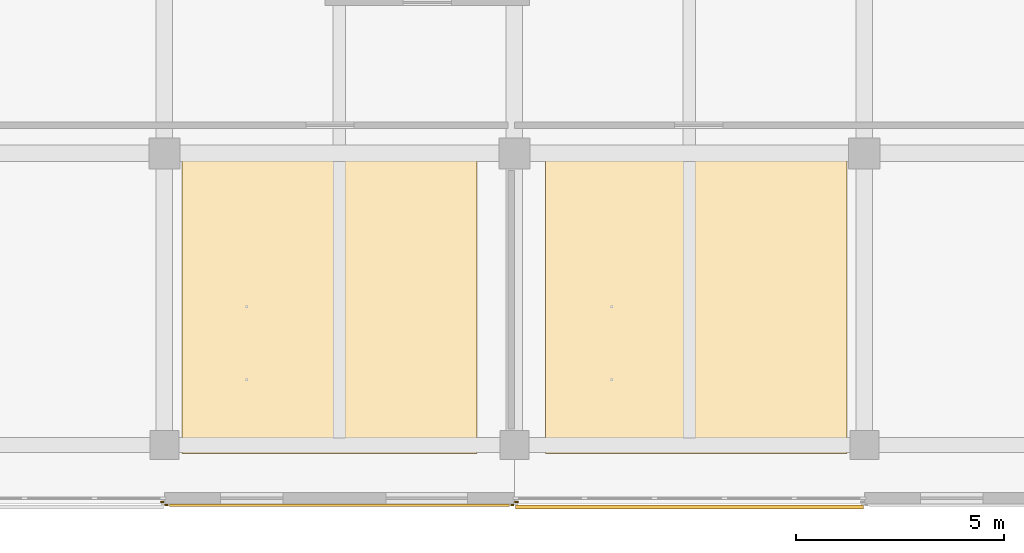
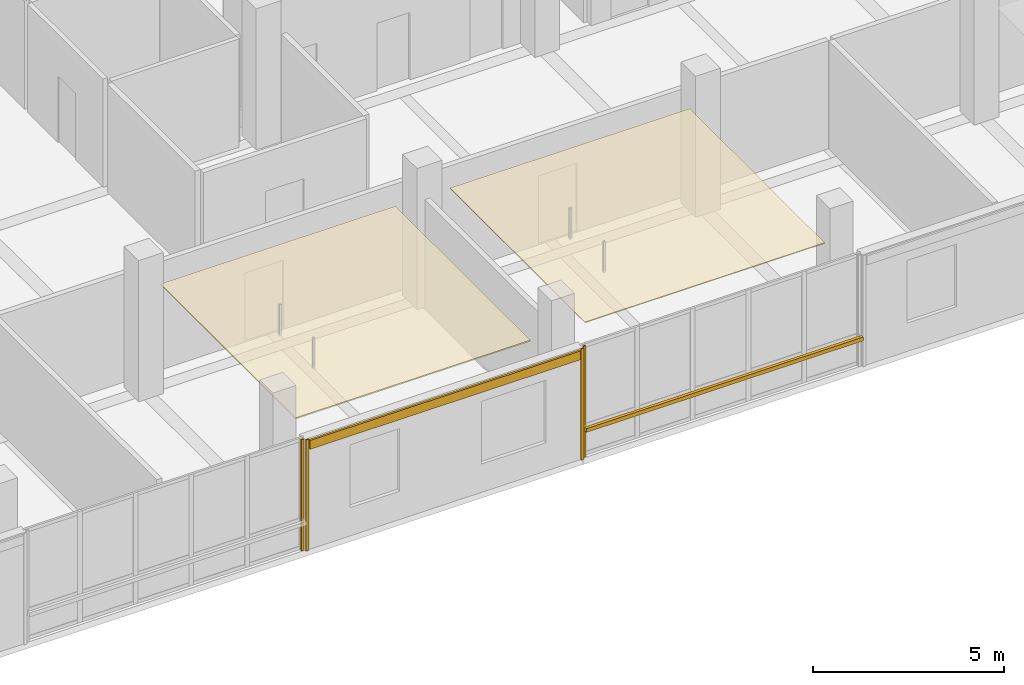
# One storey, part 24 of 32: 7 coverings, 1 shading device.
"""IFC4 building model written with IfcOpenShell, lengths in metres."""

from ifc_helpers import new_model, si_unit, direction, frame, origin, origin_2d, place, context, subcontext, project, spatial, polyline, rectangle, outline, extrude, material, layer, layer_set, type_object, element, save


model = new_model("IFC4")

# Units and contexts
model_context = context("Model", 3, precision=1e-05, world=origin(), true_north=direction((0.0, 1.0)))
body_context = subcontext(model_context, "Body", "Model", "MODEL_VIEW")
ifc_project = project(units=[si_unit("LENGTHUNIT", "METRE"), si_unit("AREAUNIT", "SQUARE_METRE"), si_unit("VOLUMEUNIT", "CUBIC_METRE"), si_unit("PLANEANGLEUNIT", "RADIAN"), si_unit("MASSUNIT", "GRAM", prefix="KILO")], contexts=[model_context])

# Site, building, storey
site_placement = place(None, origin())
site = spatial("IfcSite", under=ifc_project, at=site_placement, CompositionType="ELEMENT")
building_placement = place(site_placement, origin())
building = spatial("IfcBuilding", under=site, at=building_placement, Name="Telukmera Botanical Conservatory", CompositionType="ELEMENT")
storey_placement = place(building_placement, frame((0.0, 0.0, 42.0)))
storey = spatial("IfcBuildingStorey", under=building, at=storey_placement, Name="L09", CompositionType="ELEMENT", Elevation=42.0)

# Coverings
ifc_material_1 = material(Name="Mineral fibre acoustic ceiling")
ifc_layer_1 = layer(ifc_material_1, 0.030029296875)
ifc_layer_set_1 = layer_set([ifc_layer_1], Name="Mineral fibre acoustic ceiling")
covering_type_1 = type_object("IfcCoveringType", Name="COV-CEIL-30", PredefinedType="CEILING", material=ifc_layer_set_1)
covering_1_placement = place(storey_placement, frame((0.0, 0.0, 3.320068359375)))
element("IfcCovering", 1, at=covering_1_placement, inside=storey, type_object=covering_type_1, Name="L09 Mycorrhizal Research Laboratory Suspended Acoustic Ceiling", PredefinedType="CEILING", context=body_context, shape_type="SweptSolid", body=[
    extrude(outline(polyline([(76.35009765625, 10.39990234375), (83.580078125, 10.39990234375), (83.580078125, 17.449951171875), (76.35009765625, 17.449951171875), (76.35009765625, 10.39990234375)])), origin(), (0.0, 0.0, 1.0), 0.030029296875),
])
ifc_material_2 = material(Name="Perforated gypsum acoustic ceiling")
ifc_layer_2 = layer(ifc_material_2, 0.0400390625)
ifc_layer_set_2 = layer_set([ifc_layer_2], Name="Perforated gypsum acoustic ceiling")
covering_type_2 = type_object("IfcCoveringType", Name="COV-CEIL-40", PredefinedType="CEILING", material=ifc_layer_set_2)
covering_2_placement = place(storey_placement, frame((0.0, 0.0, 3.31005859375)))
element("IfcCovering", 2, at=covering_2_placement, inside=storey, type_object=covering_type_2, Name="L09 Tropical Ecology Laboratory Suspended Acoustic Ceiling", PredefinedType="CEILING", context=body_context, shape_type="SweptSolid", body=[
    extrude(outline(polyline([(67.6201171875, 10.39990234375), (74.699951171875, 10.39990234375), (74.699951171875, 17.449951171875), (67.6201171875, 17.449951171875), (67.6201171875, 10.39990234375)])), origin(), (0.0, 0.0, 1.0), 0.0400390625),
])
ifc_material_3 = material(Name="Granite-faced precast concrete C40/50", Category="masonry")
ifc_layer_3 = layer(ifc_material_3, 0.0400390625)
ifc_layer_set_3 = layer_set([ifc_layer_3], Name="Granite-faced precast concrete C40/50")
covering_type_3 = type_object("IfcCoveringType", Name="Granite Precast Column Pier Reveal Casing", PredefinedType="CLADDING", material=ifc_layer_set_3)
for number, where, z_axis, x_axis, name in (
    (3, (67.14794921875, 9.22998046875, 0.0), (0.0, 0.0, 1.0), (1.0, 0.0, 0.0), "Granite Pier Reveal V4:L09:S2 R"),
    (4, (67.251953125, 9.159912109375, 0.0), (0.0, 0.0, 1.0), (1.0, 0.0, 0.0), "Granite Pier Reveal V4:L09:S3 L"),
    (5, (75.548095703125, 9.159912109375, 0.0), (0.0, 0.0, 1.0), (1.0, 0.0, 0.0), "Granite Pier Reveal V4:L09:S3 R"),
    (6, (75.652099609375, 9.22998046875, 0.0), (0.0, 0.0, 1.0), (1.0, 0.0, 0.0), "Granite Pier Reveal V4:L09:S4 L"),
):
    element("IfcCovering", number, at=place(storey_placement, frame(where, z_axis=z_axis, x_axis=x_axis)), inside=storey, type_object=covering_type_3, Name=name, PredefinedType="CLADDING", context=body_context, shape_type="SweptSolid", body=[
        extrude(rectangle(XDim=0.080078125, YDim=0.0400390625, at=origin_2d()), origin(), (0.0, 0.0, 1.0), 3.550048828125),
    ])

# Shading device
ifc_material_4 = material(Name="Perforated terracotta-anodised aluminium 6063-T6", Category="masonry")
ifc_layer_4 = layer(ifc_material_4, 0.044921875)
ifc_layer_set_4 = layer_set([ifc_layer_4], Name="Perforated terracotta-anodised aluminium 6063-T6")
shading_device_type = type_object("IfcShadingDeviceType", Name="Perforated Terracotta Aluminium Monsoon Brise Soleil", PredefinedType="JALOUSIE", material=ifc_layer_set_4)
shading_device_placement = place(storey_placement, frame((79.800048828125, 9.114990234375, 0.889892578125), z_axis=(0.0, 0.0, 1.0), x_axis=(1.0, 0.0, 0.0)))
element("IfcShadingDevice", 7, at=shading_device_placement, inside=storey, type_object=shading_device_type, Name="Monsoon Shading BS01 V4:L09:S4", PredefinedType="JALOUSIE", context=body_context, shape_type="SweptSolid", body=[
    extrude(rectangle(XDim=8.35595703125, YDim=0.090087890625, at=origin_2d()), origin(), (0.0, 0.0, 1.0), 0.1201171875),
])

# Covering
ifc_material_5 = material(Name="Terracotta-faced precast concrete C40/50", Category="masonry")
ifc_layer_5 = layer(ifc_material_5, 0.06005859375)
ifc_layer_set_5 = layer_set([ifc_layer_5], Name="Terracotta-faced precast concrete C40/50")
covering_type_4 = type_object("IfcCoveringType", Name="Polychrome Terracotta Facade Band Cladding", PredefinedType="CLADDING", material=ifc_layer_set_5)
covering_3_placement = place(storey_placement, frame((71.39990234375, 9.14990234375, 3.22998046875), z_axis=(0.0, 0.0, 1.0), x_axis=(1.0, 0.0, 0.0)))
element("IfcCovering", 8, at=covering_3_placement, inside=storey, type_object=covering_type_4, Name="Polychrome Terracotta Band V4:L09:S3", PredefinedType="CLADDING", context=body_context, shape_type="SweptSolid", body=[
    extrude(rectangle(XDim=8.156005859375, YDim=0.06005859375, at=origin_2d()), origin(), (0.0, 0.0, 1.0), 0.280029296875),
])

save(model, "model.ifc")
